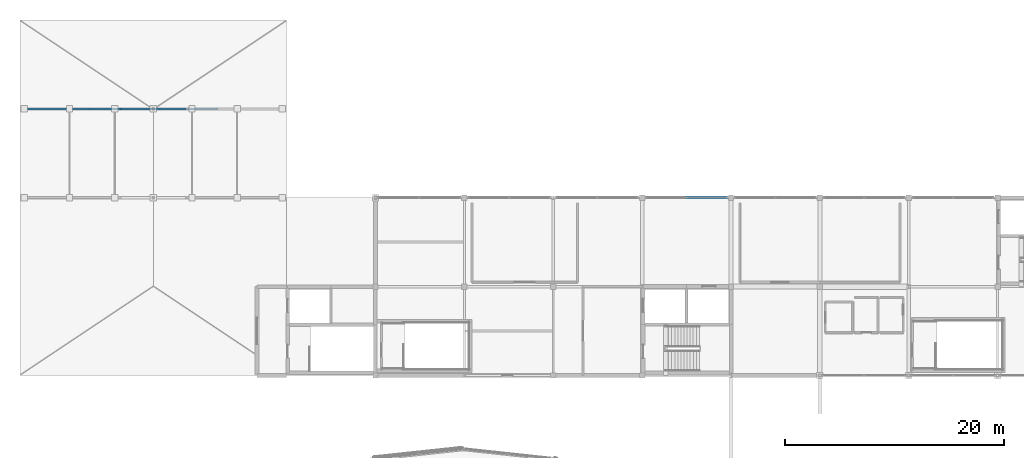
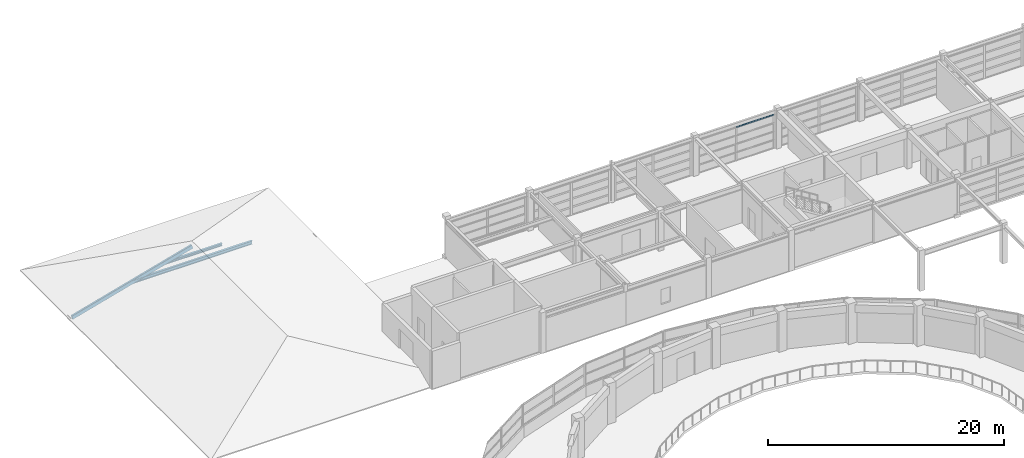
# One storey, part 28 of 54: 4 members, 1 element without a shape of its own.
"""IFC4 building model written with IfcOpenShell, lengths in metres."""

from ifc_helpers import new_model, si_unit, direction, frame, origin, origin_2d, place, context, subcontext, project, spatial, rectangle, hollow_rectangle, i_section, extrude, material, material_profile, profile_set, type_object, element, aggregate, save


model = new_model("IFC4")

# Units and contexts
model_context = context("Model", 3, precision=1e-05, world=origin(), true_north=direction((0.0, 1.0)))
body_context = subcontext(model_context, "Body", "Model", "MODEL_VIEW")
ifc_project = project(units=[si_unit("LENGTHUNIT", "METRE"), si_unit("AREAUNIT", "SQUARE_METRE"), si_unit("VOLUMEUNIT", "CUBIC_METRE"), si_unit("PLANEANGLEUNIT", "RADIAN"), si_unit("MASSUNIT", "GRAM", prefix="KILO")], contexts=[model_context])

# Site, building, storey
site_placement = place(None, origin())
site = spatial("IfcSite", under=ifc_project, at=site_placement, CompositionType="ELEMENT")
building_placement = place(site_placement, origin())
building = spatial("IfcBuilding", under=site, at=building_placement, Name="Parian Resonance Hall", CompositionType="ELEMENT")
storey_placement = place(building_placement, frame((0.0, 0.0, 15.0)))
storey = spatial("IfcBuildingStorey", under=building, at=storey_placement, Name="L03", CompositionType="ELEMENT", Elevation=15.0)

# Curtain wall, member
ifc_material_1 = material(Name="Bronze-anodised aluminium frame", Category="aluminium")
curtain_wall_type = type_object("IfcCurtainWallType", Name="CW-SYS-04", PredefinedType="NOTDEFINED", material=ifc_material_1)
curtain_wall_placement = place(storey_placement, origin())
curtain_wall = element("IfcCurtainWall", 1, at=curtain_wall_placement, inside=storey, type_object=curtain_wall_type, Name="Curtain wall CW-L03-089", PredefinedType="NOTDEFINED")
ifc_material_2 = material(Name="Bronze-anodised aluminium frame", Category="aluminium")
ifc_material_profile_1 = material_profile(ifc_material_2, rectangle(XDim=0.06494140625, YDim=0.1201171875, at=origin_2d()), Name="CWT-65x120")
ifc_profile_set_1 = profile_set([ifc_material_profile_1], Name="Bronze-anodised aluminium frame")
member_type_1 = type_object("IfcMemberType", Name="CWT-65x120", PredefinedType="USERDEFINED", material=ifc_profile_set_1)
member_1_placement = place(storey_placement, frame((60.782470703125, 89.10009765625, 3.46240234375), z_axis=(1.0, 0.0, 0.0), x_axis=(0.0, 1.0, 0.0)))
member_1 = element("IfcMember", 2, at=member_1_placement, type_object=member_type_1, Name="CW-04 transom 2.5", ObjectType="TRANSOM", PredefinedType="USERDEFINED", context=body_context, shape_type="SweptSolid", body=[
    extrude(rectangle(XDim=0.06494140625, YDim=0.1201171875, at=origin_2d()), origin(), (0.0, 0.0, 1.0), 3.62255859375),
])
aggregate(curtain_wall, [member_1])

# Members
ifc_material_3 = material(Name="Hollow structural steel S355", Category="steel")
ifc_material_profile_2 = material_profile(ifc_material_3, hollow_rectangle(XDim=0.199951171875, YDim=0.39990234375, WallThickness=0.01416015625, InnerFilletRadius=0.01416015625, OuterFilletRadius=0.0283203125, at=origin_2d()), Name="RHS400x200x14.2")
ifc_profile_set_2 = profile_set([ifc_material_profile_2], Name="Hollow structural steel S355")
member_type_2 = type_object("IfcMemberType", Name="MEM-RHS400", PredefinedType="RAFTER", material=ifc_profile_set_2)
member_2_placement = place(storey_placement, frame((0.39990234375, 97.199951171875, 0.0), z_axis=(0.963811120254, 0.0, 0.266586054538), x_axis=(0.0, 1.0, 0.0)))
element("IfcMember", 3, at=member_2_placement, inside=storey, type_object=member_type_2, Name="Chamber roof west rafter 2", PredefinedType="RAFTER", context=body_context, shape_type="SweptSolid", body=[
    extrude(hollow_rectangle(XDim=0.199951171875, YDim=0.39990234375, WallThickness=0.01416015625, InnerFilletRadius=0.01416015625, OuterFilletRadius=0.0283203125, at=origin_2d()), origin(), (0.0, 0.0, 1.0), 12.191162109375),
])
ifc_material_4 = material(Name="Steel S355", Category="steel")
ifc_material_profile_3 = material_profile(ifc_material_4, i_section(OverallWidth=0.202880859375, OverallDepth=0.251953125, WebThickness=0.008056640625, FlangeThickness=0.013427734375, FilletRadius=0.0126953125, at=origin_2d()), Name="W250x58")
ifc_profile_set_3 = profile_set([ifc_material_profile_3], Name="Steel S355")
member_type_3 = type_object("IfcMemberType", Name="MEM-W250-CHORD", PredefinedType="CHORD", material=ifc_profile_set_3)
member_3_placement = place(storey_placement, frame((9.199951171875, 97.199951171875, 2.43994140625), z_axis=(1.0, 0.0, 0.0), x_axis=(0.0, 1.0, 0.0)))
element("IfcMember", 4, at=member_3_placement, inside=storey, type_object=member_type_3, Name="Chamber roof upper collar chord 2", PredefinedType="CHORD", context=body_context, shape_type="SweptSolid", body=[
    extrude(i_section(OverallWidth=0.202880859375, OverallDepth=0.251953125, WebThickness=0.008056640625, FlangeThickness=0.013427734375, FilletRadius=0.0126953125, at=origin_2d()), origin(), (0.0, 0.0, 1.0), 5.900146484375),
])
ifc_material_5 = material(Name="Steel S355", Category="steel")
ifc_material_profile_4 = material_profile(ifc_material_5, i_section(OverallWidth=0.2041015625, OverallDepth=0.35009765625, WebThickness=0.008544921875, FlangeThickness=0.01513671875, FilletRadius=0.01513671875, at=origin_2d()), Name="W360x72")
ifc_profile_set_4 = profile_set([ifc_material_profile_4], Name="Steel S355")
member_type_4 = type_object("IfcMemberType", Name="MEM-W360-CHORD", PredefinedType="CHORD", material=ifc_profile_set_4)
member_4_placement = place(storey_placement, frame((6.27490234375, 97.199951171875, 1.625), z_axis=(1.0, 0.0, 0.0), x_axis=(0.0, 1.0, 0.0)))
element("IfcMember", 5, at=member_4_placement, inside=storey, type_object=member_type_4, Name="Chamber roof collar chord 2", PredefinedType="CHORD", context=body_context, shape_type="SweptSolid", body=[
    extrude(i_section(OverallWidth=0.2041015625, OverallDepth=0.35009765625, WebThickness=0.008544921875, FlangeThickness=0.01513671875, FilletRadius=0.01513671875, at=origin_2d()), origin(), (0.0, 0.0, 1.0), 11.75),
])

save(model, "model.ifc")
